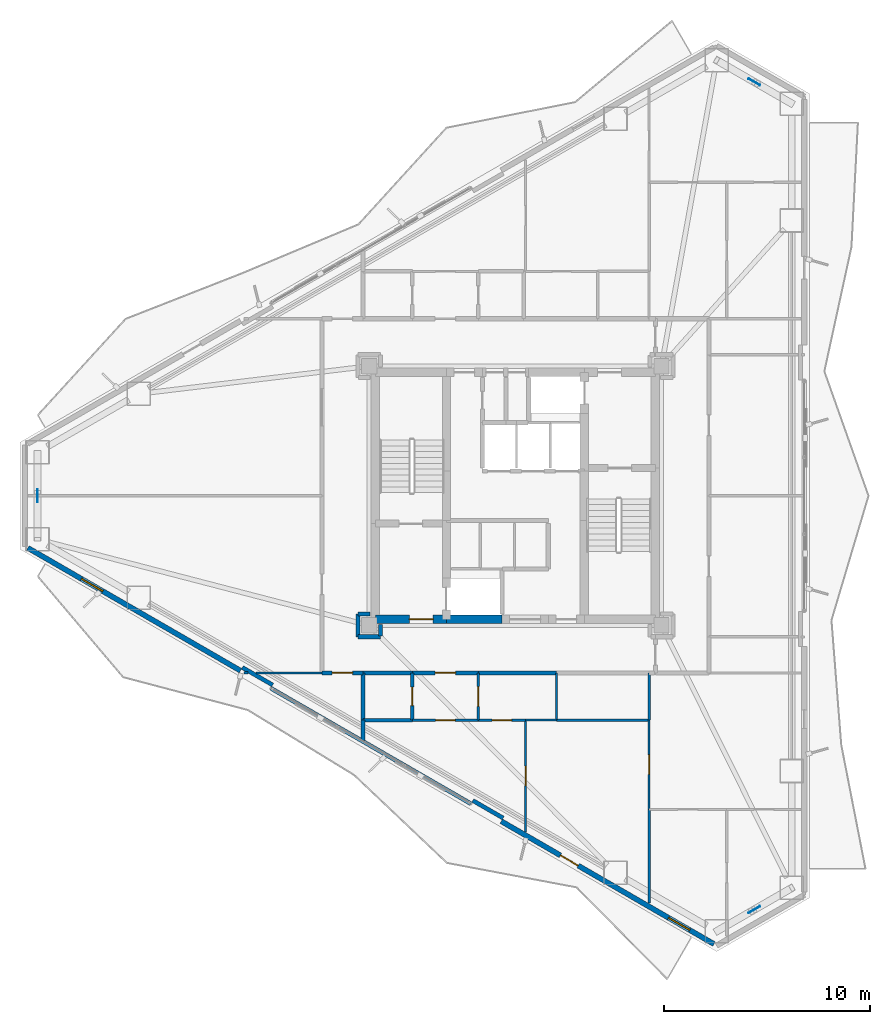
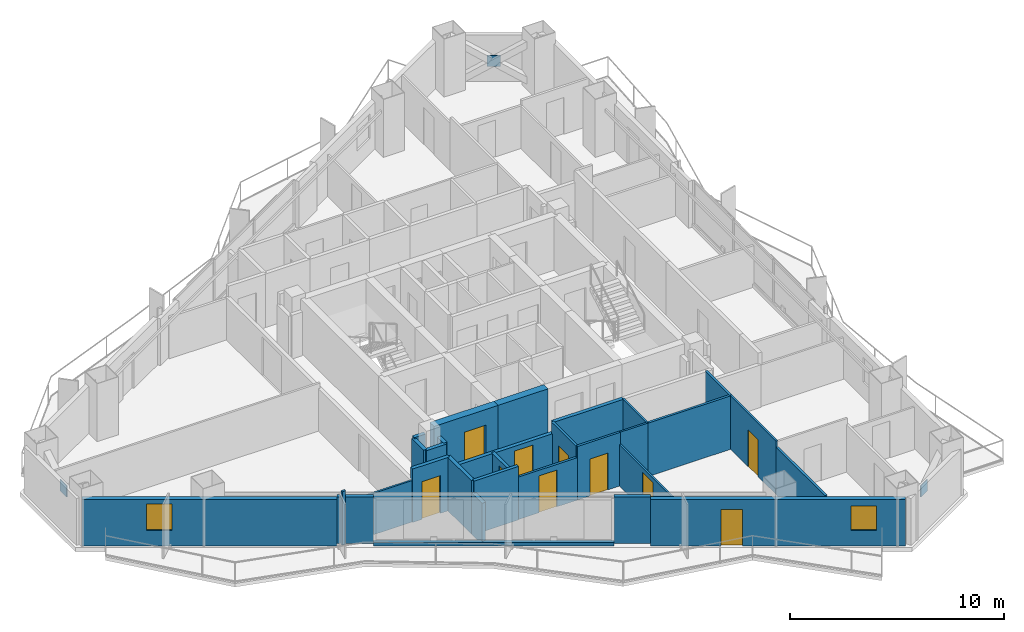
# One storey, part 15 of 22: 31 walls, 10 doors, 3 plates, 2 windows, 12 openings.
"""IFC4 building model written with IfcOpenShell, lengths in metres."""

from ifc_helpers import new_model, si_unit, direction, frame, frame_2d, origin, origin_2d, place, context, subcontext, project, spatial, rectangle, extrude, material, layer, layer_set, type_object, element, fill, save


model = new_model("IFC4")

# Units and contexts
model_context = context("Model", 3, precision=1e-05, world=origin(), true_north=direction((0.0, 1.0)))
body_context = subcontext(model_context, "Body", "Model", "MODEL_VIEW")
ifc_project = project(units=[si_unit("LENGTHUNIT", "METRE"), si_unit("AREAUNIT", "SQUARE_METRE"), si_unit("VOLUMEUNIT", "CUBIC_METRE"), si_unit("PLANEANGLEUNIT", "RADIAN"), si_unit("MASSUNIT", "GRAM", prefix="KILO")], contexts=[model_context])

# Site, building, storey
site_placement = place(None, origin())
site = spatial("IfcSite", under=ifc_project, at=site_placement, CompositionType="ELEMENT")
building_placement = place(site_placement, origin())
building = spatial("IfcBuilding", under=site, at=building_placement, Name="Mersakhor Tower and Convention Hall", CompositionType="ELEMENT")
storey_placement = place(building_placement, frame((0.0, 0.0, 109.800048828125)))
storey = spatial("IfcBuildingStorey", under=building, at=storey_placement, Name="L30", CompositionType="ELEMENT", Elevation=109.800048828125)

# Plates
ifc_material_1 = material(Name="Steel S460", Category="steel")
ifc_layer_1 = layer(ifc_material_1, 0.0400390625)
ifc_layer_set_1 = layer_set([ifc_layer_1], Name="Steel S460")
plate_type = type_object("IfcPlateType", Name="PL-GUSSET-40", PredefinedType="SHEET", material=ifc_layer_set_1)
for number, where, z_axis, x_axis, name in (
    (1, (40.606689453125, 46.853515625, 1.205078125), (0.0, 0.0, 1.0), (-0.866025403784, 0.5, 0.0), "L30 X-Brace Crossing Gusset Node Plate"),
    (2, (40.606689453125, 6.646728515625, 1.205078125), (0.0, 0.0, 1.0), (0.866025403784, 0.5, 0.0), "L30 X-Brace Crossing Gusset Node Plate"),
    (3, (5.78662109375, 26.75, 1.205078125), (0.0, 0.0, 1.0), (0.0, -1.0, 0.0), "L30 X-Brace Crossing Gusset Node Plate"),
):
    element("IfcPlate", number, at=place(storey_placement, frame(where, z_axis=z_axis, x_axis=x_axis)), inside=storey, type_object=plate_type, Name=name, PredefinedType="SHEET", context=body_context, shape_type="SweptSolid", body=[
        extrude(rectangle(XDim=0.639892578125, YDim=0.0400390625, at=origin_2d()), origin(), (0.0, 0.0, 1.0), 0.639892578125),
    ])

# Wall, openings, door, window
ifc_material_2 = material(Name="Precast concrete C40/50", Category="concrete")
ifc_layer_2 = layer(ifc_material_2, 0.25)
ifc_layer_set_2 = layer_set([ifc_layer_2], Name="Precast concrete C40/50")
wall_type_1 = type_object("IfcWallType", Name="WL-EXT-250", PredefinedType="SOLIDWALL", material=ifc_layer_set_2)
wall_1_placement = place(storey_placement, frame((38.648681640625, 4.973388671875, 0.0), z_axis=(0.0, 0.0, 1.0), x_axis=(-0.866023023012, 0.500004123596, 0.0)))
wall_1 = element("IfcWall", 4, at=wall_1_placement, inside=storey, type_object=wall_type_1, Name="L30 Exterior Facade Wall F3-B1", PredefinedType="SOLIDWALL", context=body_context, shape_type="SweptSolid", body=[
    extrude(rectangle(XDim=11.9296875, YDim=0.25, at=frame_2d((5.96484375, 0.0))), origin(), (0.0, 0.0, 1.0), 2.669921875),
])
opening_1_placement = place(wall_1_placement, frame((7.615966796875, 0.0, 0.0)))
opening_1 = element("IfcOpeningElement", 5, at=opening_1_placement, cuts=wall_1, Name="Opening BD-01", PredefinedType="OPENING", context=body_context, shape_type="SweptSolid", body=[
    extrude(rectangle(XDim=1.0, YDim=2.10009765625, at=frame_2d((0.5, 1.050048828125))), frame((0.0, 0.135009765625, 0.0), z_axis=(0.0, -1.0, 0.0), x_axis=(1.0, 0.0, 0.0)), (0.0, 0.0, 1.0), 0.27001953125),
])
opening_2_placement = place(wall_1_placement, frame((1.35498046875, 0.0, 0.89990234375)))
opening_2 = element("IfcOpeningElement", 6, at=opening_2_placement, cuts=wall_1, Name="Opening W-01", PredefinedType="OPENING", context=body_context, shape_type="SweptSolid", body=[
    extrude(rectangle(XDim=1.199951171875, YDim=1.39990234375, at=frame_2d((0.60009765625, 0.699951171875))), frame((0.0, 0.135009765625, 0.0), z_axis=(0.0, -1.0, 0.0), x_axis=(1.0, 0.0, 0.0)), (0.0, 0.0, 1.0), 0.27001953125),
])
ifc_material_3 = material(Name="Thermally broken dark aluminium and safety glass", Category="aluminium")
door_type_1 = type_object("IfcDoorType", Name="DR-BAL-100x210", OperationType="NOTDEFINED", PredefinedType="DOOR", material=ifc_material_3)
door_1_placement = place(opening_1_placement, origin())
door_1 = element("IfcDoor", 7, at=door_1_placement, inside=storey, type_object=door_type_1, Name="L30 Balcony Terrace Door F3-B1", OperationType="SINGLE_SWING_LEFT", OverallHeight=2.10009765625, OverallWidth=1.0, PredefinedType="DOOR", context=body_context, shape_type="SweptSolid", body=[
    extrude(rectangle(XDim=1.0, YDim=2.10009765625, at=frame_2d((0.5, 1.050048828125))), frame((0.0, 0.02490234375, 0.0), z_axis=(0.0, -1.0, 0.0), x_axis=(1.0, 0.0, 0.0)), (0.0, 0.0, 1.0), 0.050048828125),
])
fill(opening_1, door_1)
ifc_material_4 = material(Name="Dark solar low-E glazed aluminium window", Category="aluminium")
window_type = type_object("IfcWindowType", Name="WN-RES-120x150", PartitioningType="SINGLE_PANEL", PredefinedType="WINDOW", material=ifc_material_4)
window_1_placement = place(opening_2_placement, origin())
window_1 = element("IfcWindow", 8, at=window_1_placement, inside=storey, type_object=window_type, Name="L30 Bedroom Facade Window F3-B1-1", OverallHeight=1.39990234375, OverallWidth=1.199951171875, PartitioningType="SINGLE_PANEL", PredefinedType="WINDOW", context=body_context, shape_type="SweptSolid", body=[
    extrude(rectangle(XDim=1.199951171875, YDim=1.39990234375, at=frame_2d((0.60009765625, 0.699951171875))), frame((0.0, 0.030029296875, 0.0), z_axis=(0.0, -1.0, 0.0), x_axis=(1.0, 0.0, 0.0)), (0.0, 0.0, 1.0), 0.06005859375),
])
fill(opening_2, window_1)

# Wall, opening, window
wall_2_placement = place(storey_placement, frame((15.64794921875, 18.2529296875, 0.0), z_axis=(0.0, 0.0, 1.0), x_axis=(-0.866023023012, 0.500004123596, 0.0)))
wall_2 = element("IfcWall", 9, at=wall_2_placement, inside=storey, type_object=wall_type_1, Name="L30 Exterior Facade Wall F3-B3", PredefinedType="SOLIDWALL", context=body_context, shape_type="SweptSolid", body=[
    extrude(rectangle(XDim=11.9296875, YDim=0.25, at=frame_2d((5.96484375, 0.0))), origin(), (0.0, 0.0, 1.0), 2.669921875),
])
opening_3_placement = place(wall_2_placement, frame((7.72509765625, 0.0, 0.89990234375)))
opening_3 = element("IfcOpeningElement", 10, at=opening_3_placement, cuts=wall_2, Name="Opening W-01", PredefinedType="OPENING", context=body_context, shape_type="SweptSolid", body=[
    extrude(rectangle(XDim=1.199951171875, YDim=1.5, at=frame_2d((0.60009765625, 0.75))), frame((0.0, 0.135009765625, 0.0), z_axis=(0.0, -1.0, 0.0), x_axis=(1.0, 0.0, 0.0)), (0.0, 0.0, 1.0), 0.27001953125),
])
window_2_placement = place(opening_3_placement, origin())
window_2 = element("IfcWindow", 11, at=window_2_placement, inside=storey, type_object=window_type, Name="L30 Facade Punched Window F3-B3", OverallHeight=1.5, OverallWidth=1.199951171875, PartitioningType="SINGLE_PANEL", PredefinedType="WINDOW", context=body_context, shape_type="SweptSolid", body=[
    extrude(rectangle(XDim=1.199951171875, YDim=1.5, at=frame_2d((0.60009765625, 0.75))), frame((0.0, 0.030029296875, 0.0), z_axis=(0.0, -1.0, 0.0), x_axis=(1.0, 0.0, 0.0)), (0.0, 0.0, 1.0), 0.06005859375),
])
fill(opening_3, window_2)

# Walls
ifc_material_5 = material(Name="Precast concrete C40/50", Category="concrete")
ifc_layer_3 = layer(ifc_material_5, 0.199951171875)
ifc_layer_set_3 = layer_set([ifc_layer_3], Name="Precast concrete C40/50")
wall_type_2 = type_object("IfcWallType", Name="WL-PAR-200", PredefinedType="PARAPET", material=ifc_layer_set_3)
wall_3_placement = place(storey_placement, frame((26.84521484375, 11.788330078125, 0.0), z_axis=(0.0, 0.0, 1.0), x_axis=(-0.866027010039, 0.499997217876, 0.0)))
element("IfcWall", 12, at=wall_3_placement, inside=storey, type_object=wall_type_2, Name="L30 Curtain Wall Upstand Sill F3-B2", PredefinedType="PARAPET", context=body_context, shape_type="SweptSolid", body=[
    extrude(rectangle(XDim=11.2294921875, YDim=0.199951171875, at=frame_2d((5.61474609375, 0.0))), origin(), (0.0, 0.0, 1.0), 0.199951171875),
])
wall_4_placement = place(storey_placement, frame((28.407470703125, 11.09423828125, 0.0), z_axis=(0.0, 0.0, 1.0), x_axis=(-0.86605165483, 0.499954529098, 0.0)))
element("IfcWall", 13, at=wall_4_placement, inside=storey, type_object=wall_type_2, Name="L30 Column Pier Cladding Wall F3-C1", PredefinedType="PARAPET", context=body_context, shape_type="SweptSolid", body=[
    extrude(rectangle(XDim=1.699951171875, YDim=0.199951171875, at=frame_2d((0.85009765625, 0.0))), origin(), (0.0, 0.0, 1.0), 2.669921875),
])
wall_5_placement = place(storey_placement, frame((17.210205078125, 17.558837890625, 0.0), z_axis=(0.0, 0.0, 1.0), x_axis=(-0.866025371046, 0.500000056704, 0.0)))
element("IfcWall", 14, at=wall_5_placement, inside=storey, type_object=wall_type_2, Name="L30 Column Pier Cladding Wall F3-C2", PredefinedType="PARAPET", context=body_context, shape_type="SweptSolid", body=[
    extrude(rectangle(XDim=1.7001953125, YDim=0.199951171875, at=frame_2d((0.85009765625, 0.0))), origin(), (0.0, 0.0, 1.0), 2.669921875),
])

# Wall, opening, door
ifc_material_6 = material(Name="Moisture-resistant acoustic drywall studwork", Category="other")
ifc_layer_4 = layer(ifc_material_6, 0.175048828125)
ifc_layer_set_4 = layer_set([ifc_layer_4], Name="Moisture-resistant acoustic drywall studwork")
wall_type_3 = type_object("IfcWallType", Name="WL-PLM-175", PredefinedType="PLUMBINGWALL", material=ifc_layer_set_4)
wall_6_placement = place(storey_placement, frame((24.0, 15.85009765625, 0.0), z_axis=(0.0, 0.0, 1.0), x_axis=(0.0, 1.0, 0.0)))
wall_6 = element("IfcWall", 15, at=wall_6_placement, inside=storey, type_object=wall_type_3, Name="L30 Interior Partition Wall P-064", PredefinedType="PLUMBINGWALL", context=body_context, shape_type="SweptSolid", body=[
    extrude(rectangle(XDim=2.2998046875, YDim=0.175048828125, at=frame_2d((1.14990234375, 0.0))), origin(), (0.0, 0.0, 1.0), 2.4228515625),
])
opening_4_placement = place(wall_6_placement, frame((0.699951171875, 0.0, 0.0)))
opening_4 = element("IfcOpeningElement", 16, at=opening_4_placement, cuts=wall_6, Name="Opening WD-01", PredefinedType="OPENING", context=body_context, shape_type="SweptSolid", body=[
    extrude(rectangle(XDim=0.89990234375, YDim=2.10009765625, at=frame_2d((0.449951171875, 1.050048828125))), frame((0.0, 0.097412109375, 0.0), z_axis=(0.0, -1.0, 0.0), x_axis=(1.0, 0.0, 0.0)), (0.0, 0.0, 1.0), 0.195068359375),
])
ifc_material_7 = material(Name="Solid-core hardwood leaf in painted steel frame", Category="steel")
door_type_2 = type_object("IfcDoorType", Name="DR-INT-WET-090x210", OperationType="NOTDEFINED", PredefinedType="DOOR", material=ifc_material_7)
door_2_placement = place(opening_4_placement, origin())
door_2 = element("IfcDoor", 17, at=door_2_placement, inside=storey, type_object=door_type_2, Name="L30 L30 Flat S2 Apartment Hall to L30 Flat S2 Bathroom Door", OperationType="SINGLE_SWING_RIGHT", OverallHeight=2.10009765625, OverallWidth=0.89990234375, PredefinedType="DOOR", context=body_context, shape_type="SweptSolid", body=[
    extrude(rectangle(XDim=0.89990234375, YDim=2.10009765625, at=frame_2d((0.449951171875, 1.050048828125))), frame((0.0, 0.02490234375, 0.0), z_axis=(0.0, -1.0, 0.0), x_axis=(1.0, 0.0, 0.0)), (0.0, 0.0, 1.0), 0.050048828125),
])
fill(opening_4, door_2)

# Walls
wall_7_placement = place(storey_placement, frame((24.0, 15.85009765625, 0.0), z_axis=(0.0, 0.0, 1.0), x_axis=(-1.0, 0.0, 0.0)))
element("IfcWall", 18, at=wall_7_placement, inside=storey, type_object=wall_type_3, Name="L30 Interior Partition Wall P-072", PredefinedType="PLUMBINGWALL", context=body_context, shape_type="SweptSolid", body=[
    extrude(rectangle(XDim=2.39990234375, YDim=0.175048828125, at=frame_2d((1.199951171875, 0.0))), origin(), (0.0, 0.0, 1.0), 3.050048828125),
])
ifc_material_8 = material(Name="Lightweight gypsum partition", Category="other")
ifc_layer_5 = layer(ifc_material_8, 0.10009765625)
ifc_layer_set_5 = layer_set([ifc_layer_5], Name="Lightweight gypsum partition")
wall_type_4 = type_object("IfcWallType", Name="WL-PRT-100", PredefinedType="PARTITIONING", material=ifc_layer_set_5)
wall_8_placement = place(storey_placement, frame((31.0, 15.85009765625, 0.0), z_axis=(0.0, 0.0, 1.0), x_axis=(-1.0, 0.0, 0.0)))
element("IfcWall", 19, at=wall_8_placement, inside=storey, type_object=wall_type_4, Name="L30 Interior Partition Wall P-074", PredefinedType="PARTITIONING", context=body_context, shape_type="SweptSolid", body=[
    extrude(rectangle(XDim=1.5, YDim=0.10009765625, at=frame_2d((0.75, 0.0))), origin(), (0.0, 0.0, 1.0), 3.050048828125),
])
wall_9_placement = place(storey_placement, frame((31.0, 18.14990234375, 0.0), z_axis=(0.0, 0.0, 1.0), x_axis=(0.0, -1.0, 0.0)))
element("IfcWall", 20, at=wall_9_placement, inside=storey, type_object=wall_type_4, Name="L30 Interior Partition Wall P-076", PredefinedType="PARTITIONING", context=body_context, shape_type="SweptSolid", body=[
    extrude(rectangle(XDim=2.2998046875, YDim=0.10009765625, at=frame_2d((1.14990234375, 0.0))), origin(), (0.0, 0.0, 1.0), 3.050048828125),
])
wall_10_placement = place(storey_placement, frame((16.411865234375, 18.14990234375, 0.0), z_axis=(0.0, 0.0, 1.0), x_axis=(1.0, 0.0, 0.0)))
element("IfcWall", 21, at=wall_10_placement, inside=storey, type_object=wall_type_4, Name="L30 Interior Partition Wall P-082", PredefinedType="PARTITIONING", context=body_context, shape_type="SweptSolid", body=[
    extrude(rectangle(XDim=3.188232421875, YDim=0.10009765625, at=frame_2d((1.59423828125, 0.0))), origin(), (0.0, 0.0, 1.0), 2.364990234375),
])

# Wall, opening, door
wall_11_placement = place(storey_placement, frame((29.5, 15.85009765625, 0.0), z_axis=(0.0, 0.0, 1.0), x_axis=(0.0, -1.0, 0.0)))
wall_11 = element("IfcWall", 22, at=wall_11_placement, inside=storey, type_object=wall_type_4, Name="L30 Interior Partition Wall P-102", PredefinedType="PARTITIONING", context=body_context, shape_type="SweptSolid", body=[
    extrude(rectangle(XDim=5.422607421875, YDim=0.10009765625, at=frame_2d((2.71142578125, 0.0))), origin(), (0.0, 0.0, 1.0), 2.364990234375),
])
opening_5_placement = place(wall_11_placement, frame((2.236083984375, 0.0, 0.0)))
opening_5 = element("IfcOpeningElement", 23, at=opening_5_placement, cuts=wall_11, Name="Opening RD-01", PredefinedType="OPENING", context=body_context, shape_type="SweptSolid", body=[
    extrude(rectangle(XDim=0.949951171875, YDim=2.10009765625, at=frame_2d((0.47509765625, 1.050048828125))), frame((0.0, 0.06005859375, 0.0), z_axis=(0.0, -1.0, 0.0), x_axis=(1.0, 0.0, 0.0)), (0.0, 0.0, 1.0), 0.1201171875),
])
ifc_material_9 = material(Name="Solid-core hardwood leaf in painted steel frame", Category="steel")
door_type_3 = type_object("IfcDoorType", Name="DR-INT-RM-095x210", OperationType="NOTDEFINED", PredefinedType="DOOR", material=ifc_material_9)
door_3_placement = place(opening_5_placement, origin())
door_3 = element("IfcDoor", 24, at=door_3_placement, inside=storey, type_object=door_type_3, Name="L30 L30 Flat S2 Living and Dining Room to L30 Flat S2 Master Bedroom Door", OperationType="SINGLE_SWING_LEFT", OverallHeight=2.10009765625, OverallWidth=0.949951171875, PredefinedType="DOOR", context=body_context, shape_type="SweptSolid", body=[
    extrude(rectangle(XDim=0.949951171875, YDim=2.10009765625, at=frame_2d((0.47509765625, 1.050048828125))), frame((0.0, 0.02490234375, 0.0), z_axis=(0.0, -1.0, 0.0), x_axis=(1.0, 0.0, 0.0)), (0.0, 0.0, 1.0), 0.050048828125),
])
fill(opening_5, door_3)

wall_12_placement = place(storey_placement, frame((35.5, 15.85009765625, 0.0), z_axis=(0.0, 0.0, 1.0), x_axis=(0.0, -1.0, 0.0)))
wall_12 = element("IfcWall", 25, at=wall_12_placement, inside=storey, type_object=wall_type_4, Name="L30 Interior Partition Wall P-104", PredefinedType="PARTITIONING", context=body_context, shape_type="SweptSolid", body=[
    extrude(rectangle(XDim=4.330078125, YDim=0.10009765625, at=frame_2d((2.1650390625, 0.0))), origin(), (0.0, 0.0, 1.0), 3.050048828125),
])
opening_6_placement = place(wall_12_placement, frame((1.68994140625, 0.0, 0.0)))
opening_6 = element("IfcOpeningElement", 26, at=opening_6_placement, cuts=wall_12, Name="Opening RD-01", PredefinedType="OPENING", context=body_context, shape_type="SweptSolid", body=[
    extrude(rectangle(XDim=0.949951171875, YDim=2.10009765625, at=frame_2d((0.47509765625, 1.050048828125))), frame((0.0, 0.06005859375, 0.0), z_axis=(0.0, -1.0, 0.0), x_axis=(1.0, 0.0, 0.0)), (0.0, 0.0, 1.0), 0.1201171875),
])
door_4_placement = place(opening_6_placement, origin())
door_4 = element("IfcDoor", 27, at=door_4_placement, inside=storey, type_object=door_type_3, Name="L30 L30 Flat S2 Master Bedroom to L30 Flat S2 Dining Room Door", OperationType="SINGLE_SWING_RIGHT", OverallHeight=2.10009765625, OverallWidth=0.949951171875, PredefinedType="DOOR", context=body_context, shape_type="SweptSolid", body=[
    extrude(rectangle(XDim=0.949951171875, YDim=2.10009765625, at=frame_2d((0.47509765625, 1.050048828125))), frame((0.0, 0.02490234375, 0.0), z_axis=(0.0, -1.0, 0.0), x_axis=(1.0, 0.0, 0.0)), (0.0, 0.0, 1.0), 0.050048828125),
])
fill(opening_6, door_4)

ifc_material_10 = material(Name="Gypsum board acoustic partition", Category="other")
ifc_layer_6 = layer(ifc_material_10, 0.125)
ifc_layer_set_6 = layer_set([ifc_layer_6], Name="Gypsum board acoustic partition")
wall_type_5 = type_object("IfcWallType", Name="WL-PRT-125", PredefinedType="PARTITIONING", material=ifc_layer_set_6)
wall_13_placement = place(storey_placement, frame((27.199951171875, 15.85009765625, 0.0), z_axis=(0.0, 0.0, 1.0), x_axis=(-1.0, 0.0, 0.0)))
wall_13 = element("IfcWall", 28, at=wall_13_placement, inside=storey, type_object=wall_type_5, Name="L30 Interior Partition Wall P-063", PredefinedType="PARTITIONING", context=body_context, shape_type="SweptSolid", body=[
    extrude(rectangle(XDim=3.199951171875, YDim=0.125, at=frame_2d((1.60009765625, 0.0))), origin(), (0.0, 0.0, 1.0), 2.4228515625),
])
opening_7_placement = place(wall_13_placement, frame((1.125, 0.0, 0.0)))
opening_7 = element("IfcOpeningElement", 29, at=opening_7_placement, cuts=wall_13, Name="Opening RD-01", PredefinedType="OPENING", context=body_context, shape_type="SweptSolid", body=[
    extrude(rectangle(XDim=0.949951171875, YDim=2.10009765625, at=frame_2d((0.47509765625, 1.050048828125))), frame((0.0, 0.072509765625, 0.0), z_axis=(0.0, -1.0, 0.0), x_axis=(1.0, 0.0, 0.0)), (0.0, 0.0, 1.0), 0.14501953125),
])
door_5_placement = place(opening_7_placement, origin())
door_5 = element("IfcDoor", 30, at=door_5_placement, inside=storey, type_object=door_type_3, Name="L30 L30 Flat S2 Apartment Hall to L30 Flat S2 Living and Dining Room Door", OperationType="SINGLE_SWING_RIGHT", OverallHeight=2.10009765625, OverallWidth=0.949951171875, PredefinedType="DOOR", context=body_context, shape_type="SweptSolid", body=[
    extrude(rectangle(XDim=0.949951171875, YDim=2.10009765625, at=frame_2d((0.47509765625, 1.050048828125))), frame((0.0, 0.02490234375, 0.0), z_axis=(0.0, -1.0, 0.0), x_axis=(1.0, 0.0, 0.0)), (0.0, 0.0, 1.0), 0.050048828125),
])
fill(opening_7, door_5)

wall_14_placement = place(storey_placement, frame((27.199951171875, 18.14990234375, 0.0), z_axis=(0.0, 0.0, 1.0), x_axis=(0.0, -1.0, 0.0)))
wall_14 = element("IfcWall", 31, at=wall_14_placement, inside=storey, type_object=wall_type_5, Name="L30 Interior Partition Wall P-065", PredefinedType="PARTITIONING", context=body_context, shape_type="SweptSolid", body=[
    extrude(rectangle(XDim=2.2998046875, YDim=0.125, at=frame_2d((1.14990234375, 0.0))), origin(), (0.0, 0.0, 1.0), 3.050048828125),
])
opening_8_placement = place(wall_14_placement, frame((0.675048828125, 0.0, 0.0)))
opening_8 = element("IfcOpeningElement", 32, at=opening_8_placement, cuts=wall_14, Name="Opening RD-01", PredefinedType="OPENING", context=body_context, shape_type="SweptSolid", body=[
    extrude(rectangle(XDim=0.949951171875, YDim=2.10009765625, at=frame_2d((0.47509765625, 1.050048828125))), frame((0.0, 0.072509765625, 0.0), z_axis=(0.0, -1.0, 0.0), x_axis=(1.0, 0.0, 0.0)), (0.0, 0.0, 1.0), 0.14501953125),
])
door_6_placement = place(opening_8_placement, origin())
door_6 = element("IfcDoor", 33, at=door_6_placement, inside=storey, type_object=door_type_3, Name="L30 L30 Flat S2 Apartment Hall to L30 Flat S2 Kitchen Door", OperationType="SINGLE_SWING_LEFT", OverallHeight=2.10009765625, OverallWidth=0.949951171875, PredefinedType="DOOR", context=body_context, shape_type="SweptSolid", body=[
    extrude(rectangle(XDim=0.949951171875, YDim=2.10009765625, at=frame_2d((0.47509765625, 1.050048828125))), frame((0.0, 0.02490234375, 0.0), z_axis=(0.0, -1.0, 0.0), x_axis=(1.0, 0.0, 0.0)), (0.0, 0.0, 1.0), 0.050048828125),
])
fill(opening_8, door_6)

wall_15_placement = place(storey_placement, frame((29.5, 15.85009765625, 0.0), z_axis=(0.0, 0.0, 1.0), x_axis=(-1.0, 0.0, 0.0)))
wall_15 = element("IfcWall", 34, at=wall_15_placement, inside=storey, type_object=wall_type_5, Name="L30 Interior Partition Wall P-075", PredefinedType="PARTITIONING", context=body_context, shape_type="SweptSolid", body=[
    extrude(rectangle(XDim=2.300048828125, YDim=0.125, at=frame_2d((1.14990234375, 0.0))), origin(), (0.0, 0.0, 1.0), 3.050048828125),
])
opening_9_placement = place(wall_15_placement, frame((0.675048828125, 0.0, 0.0)))
opening_9 = element("IfcOpeningElement", 35, at=opening_9_placement, cuts=wall_15, Name="Opening RD-01", PredefinedType="OPENING", context=body_context, shape_type="SweptSolid", body=[
    extrude(rectangle(XDim=0.949951171875, YDim=2.10009765625, at=frame_2d((0.47509765625, 1.050048828125))), frame((0.0, 0.072509765625, 0.0), z_axis=(0.0, -1.0, 0.0), x_axis=(1.0, 0.0, 0.0)), (0.0, 0.0, 1.0), 0.14501953125),
])
door_7_placement = place(opening_9_placement, origin())
door_7 = element("IfcDoor", 36, at=door_7_placement, inside=storey, type_object=door_type_3, Name="L30 L30 Flat S2 Kitchen to L30 Flat S2 Living and Dining Room Door", OperationType="SINGLE_SWING_LEFT", OverallHeight=2.10009765625, OverallWidth=0.949951171875, PredefinedType="DOOR", context=body_context, shape_type="SweptSolid", body=[
    extrude(rectangle(XDim=0.949951171875, YDim=2.10009765625, at=frame_2d((0.47509765625, 1.050048828125))), frame((0.0, 0.02490234375, 0.0), z_axis=(0.0, -1.0, 0.0), x_axis=(1.0, 0.0, 0.0)), (0.0, 0.0, 1.0), 0.050048828125),
])
fill(opening_9, door_7)

# Walls
wall_16_placement = place(storey_placement, frame((15.825927734375, 18.14990234375, 0.0), z_axis=(0.0, 0.0, 1.0), x_axis=(1.0, 0.0, 0.0)))
element("IfcWall", 37, at=wall_16_placement, inside=storey, type_object=wall_type_5, Name="L30 Interior Partition Wall P-081", PredefinedType="PARTITIONING", context=body_context, shape_type="SweptSolid", body=[
    extrude(rectangle(XDim=0.185302734375, YDim=0.125, at=frame_2d((0.0927734375, 0.0))), origin(), (0.0, 0.0, 1.0), 3.050048828125),
])
wall_17_placement = place(storey_placement, frame((31.0, 15.85009765625, 0.0), z_axis=(0.0, 0.0, 1.0), x_axis=(1.0, 0.0, 0.0)))
element("IfcWall", 38, at=wall_17_placement, inside=storey, type_object=wall_type_5, Name="L30 Interior Partition Wall P-103", PredefinedType="PARTITIONING", context=body_context, shape_type="SweptSolid", body=[
    extrude(rectangle(XDim=4.5, YDim=0.125, at=frame_2d((2.25, 0.0))), origin(), (0.0, 0.0, 1.0), 3.050048828125),
])
wall_18_placement = place(storey_placement, frame((35.5, 11.52001953125, 0.0), z_axis=(0.0, 0.0, 1.0), x_axis=(0.0, -1.0, 0.0)))
element("IfcWall", 39, at=wall_18_placement, inside=storey, type_object=wall_type_5, Name="L30 Interior Partition Wall P-105", PredefinedType="PARTITIONING", context=body_context, shape_type="SweptSolid", body=[
    extrude(rectangle(XDim=4.556640625, YDim=0.125, at=frame_2d((2.2783203125, 0.0))), origin(), (0.0, 0.0, 1.0), 2.71435546875),
])
wall_19_placement = place(storey_placement, frame((35.5, 15.85009765625, 0.0), z_axis=(0.0, 0.0, 1.0), x_axis=(0.0, 1.0, 0.0)))
element("IfcWall", 40, at=wall_19_placement, inside=storey, type_object=wall_type_5, Name="L30 Interior Partition Wall P-111", PredefinedType="PARTITIONING", context=body_context, shape_type="SweptSolid", body=[
    extrude(rectangle(XDim=2.2998046875, YDim=0.125, at=frame_2d((1.14990234375, 0.0))), origin(), (0.0, 0.0, 1.0), 3.050048828125),
])
ifc_material_11 = material(Name="Acoustic concrete blockwork and gypsum board", Category="masonry")
ifc_layer_7 = layer(ifc_material_11, 0.199951171875)
ifc_layer_set_7 = layer_set([ifc_layer_7], Name="Acoustic concrete blockwork and gypsum board")
wall_type_6 = type_object("IfcWallType", Name="WL-PRT-200", PredefinedType="PARTITIONING", material=ifc_layer_set_7)
wall_20_placement = place(storey_placement, frame((21.35009765625, 19.89990234375, 0.0), z_axis=(0.0, 0.0, 1.0), x_axis=(1.0, 0.0, 0.0)))
element("IfcWall", 41, at=wall_20_placement, inside=storey, type_object=wall_type_6, Name="L30 Interior Partition Wall P-019", PredefinedType="PARTITIONING", context=body_context, shape_type="SweptSolid", body=[
    extrude(rectangle(XDim=1.099853515625, YDim=0.199951171875, at=frame_2d((0.5498046875, 0.0))), origin(), (0.0, 0.0, 1.0), 2.4228515625),
])
wall_21_placement = place(storey_placement, frame((22.449951171875, 19.929931640625, 0.0), z_axis=(0.0, 0.0, 1.0), x_axis=(0.0, 1.0, 0.0)))
element("IfcWall", 42, at=wall_21_placement, inside=storey, type_object=wall_type_6, Name="L30 Interior Partition Wall P-020", PredefinedType="PARTITIONING", context=body_context, shape_type="SweptSolid", body=[
    extrude(rectangle(XDim=0.570068359375, YDim=0.199951171875, at=frame_2d((0.28515625, 0.0))), origin(), (0.0, 0.0, 1.0), 2.4228515625),
])
wall_22_placement = place(storey_placement, frame((31.0, 18.14990234375, 0.0), z_axis=(0.0, 0.0, 1.0), x_axis=(-1.0, 0.0, 0.0)))
element("IfcWall", 43, at=wall_22_placement, inside=storey, type_object=wall_type_6, Name="L30 Interior Partition Wall P-026", PredefinedType="PARTITIONING", context=body_context, shape_type="SweptSolid", body=[
    extrude(rectangle(XDim=3.800048828125, YDim=0.199951171875, at=frame_2d((1.89990234375, 0.0))), origin(), (0.0, 0.0, 1.0), 3.050048828125),
])

# Wall, opening, door
wall_23_placement = place(storey_placement, frame((27.199951171875, 18.14990234375, 0.0), z_axis=(0.0, 0.0, 1.0), x_axis=(-1.0, 0.0, 0.0)))
wall_23 = element("IfcWall", 44, at=wall_23_placement, inside=storey, type_object=wall_type_6, Name="L30 Interior Partition Wall P-027", PredefinedType="PARTITIONING", context=body_context, shape_type="SweptSolid", body=[
    extrude(rectangle(XDim=3.199951171875, YDim=0.199951171875, at=frame_2d((1.60009765625, 0.0))), origin(), (0.0, 0.0, 1.0), 2.4228515625),
])
opening_10_placement = place(wall_23_placement, frame((1.10009765625, 0.0, 0.0)))
opening_10 = element("IfcOpeningElement", 45, at=opening_10_placement, cuts=wall_23, Name="Opening FD-01", PredefinedType="OPENING", context=body_context, shape_type="SweptSolid", body=[
    extrude(rectangle(XDim=1.0, YDim=2.14990234375, at=frame_2d((0.5, 1.074951171875))), frame((0.0, 0.10986328125, 0.0), z_axis=(0.0, -1.0, 0.0), x_axis=(1.0, 0.0, 0.0)), (0.0, 0.0, 1.0), 0.219970703125),
])
ifc_material_12 = material(Name="Fire-rated hardwood leaf and painted steel frame", Category="steel")
door_type_4 = type_object("IfcDoorType", Name="DR-INT-FLT-100x215", OperationType="NOTDEFINED", PredefinedType="DOOR", material=ifc_material_12)
door_8_placement = place(opening_10_placement, origin())
door_8 = element("IfcDoor", 46, at=door_8_placement, inside=storey, type_object=door_type_4, Name="L30 Apartment Entrance Door (Residential Ring Corridor to L30 Flat S2 Apartment Hall)", OperationType="SINGLE_SWING_RIGHT", OverallHeight=2.14990234375, OverallWidth=1.0, PredefinedType="DOOR", context=body_context, shape_type="SweptSolid", body=[
    extrude(rectangle(XDim=1.0, YDim=2.14990234375, at=frame_2d((0.5, 1.074951171875))), frame((0.0, 0.02490234375, 0.0), z_axis=(0.0, -1.0, 0.0), x_axis=(1.0, 0.0, 0.0)), (0.0, 0.0, 1.0), 0.050048828125),
])
fill(opening_10, door_8)

# Wall
wall_24_placement = place(storey_placement, frame((24.0, 18.14990234375, 0.0), z_axis=(0.0, 0.0, 1.0), x_axis=(-1.0, 0.0, 0.0)))
element("IfcWall", 47, at=wall_24_placement, inside=storey, type_object=wall_type_6, Name="L30 Interior Partition Wall P-028", PredefinedType="PARTITIONING", context=body_context, shape_type="SweptSolid", body=[
    extrude(rectangle(XDim=2.39990234375, YDim=0.199951171875, at=frame_2d((1.199951171875, 0.0))), origin(), (0.0, 0.0, 1.0), 2.4228515625),
])

# Wall, opening, door
wall_25_placement = place(storey_placement, frame((21.60009765625, 18.14990234375, 0.0), z_axis=(0.0, 0.0, 1.0), x_axis=(-1.0, 0.0, 0.0)))
wall_25 = element("IfcWall", 48, at=wall_25_placement, inside=storey, type_object=wall_type_6, Name="L30 Interior Partition Wall P-029", PredefinedType="PARTITIONING", context=body_context, shape_type="SweptSolid", body=[
    extrude(rectangle(XDim=2.0, YDim=0.199951171875, at=frame_2d((1.0, 0.0))), origin(), (0.0, 0.0, 1.0), 3.050048828125),
])
opening_11_placement = place(wall_25_placement, frame((0.5, 0.0, 0.0)))
opening_11 = element("IfcOpeningElement", 49, at=opening_11_placement, cuts=wall_25, Name="Opening FD-01", PredefinedType="OPENING", context=body_context, shape_type="SweptSolid", body=[
    extrude(rectangle(XDim=1.0, YDim=2.14990234375, at=frame_2d((0.5, 1.074951171875))), frame((0.0, 0.10986328125, 0.0), z_axis=(0.0, -1.0, 0.0), x_axis=(1.0, 0.0, 0.0)), (0.0, 0.0, 1.0), 0.219970703125),
])
door_9_placement = place(opening_11_placement, origin())
door_9 = element("IfcDoor", 50, at=door_9_placement, inside=storey, type_object=door_type_4, Name="L30 Residential Ring Corridor to L30 South-West Residents Seminar Room Door", OperationType="SINGLE_SWING_RIGHT", OverallHeight=2.14990234375, OverallWidth=1.0, PredefinedType="DOOR", context=body_context, shape_type="SweptSolid", body=[
    extrude(rectangle(XDim=1.0, YDim=2.14990234375, at=frame_2d((0.5, 1.074951171875))), frame((0.0, 0.02490234375, 0.0), z_axis=(0.0, -1.0, 0.0), x_axis=(1.0, 0.0, 0.0)), (0.0, 0.0, 1.0), 0.050048828125),
])
fill(opening_11, door_9)

# Walls
wall_26_placement = place(storey_placement, frame((21.949951171875, 21.0, 0.0), z_axis=(0.0, 0.0, 1.0), x_axis=(-1.0, 0.0, 0.0)))
element("IfcWall", 51, at=wall_26_placement, inside=storey, type_object=wall_type_6, Name="L30 Interior Partition Wall P-046", PredefinedType="PARTITIONING", context=body_context, shape_type="SweptSolid", body=[
    extrude(rectangle(XDim=0.599853515625, YDim=0.199951171875, at=frame_2d((0.2998046875, 0.0))), origin(), (0.0, 0.0, 1.0), 2.498291015625),
])
wall_27_placement = place(storey_placement, frame((21.35009765625, 21.0, 0.0), z_axis=(0.0, 0.0, 1.0), x_axis=(0.0, -1.0, 0.0)))
element("IfcWall", 52, at=wall_27_placement, inside=storey, type_object=wall_type_6, Name="L30 Interior Partition Wall P-047", PredefinedType="PARTITIONING", context=body_context, shape_type="SweptSolid", body=[
    extrude(rectangle(XDim=1.10009765625, YDim=0.199951171875, at=frame_2d((0.550048828125, 0.0))), origin(), (0.0, 0.0, 1.0), 2.4228515625),
])
wall_28_placement = place(storey_placement, frame((21.60009765625, 15.85009765625, 0.0), z_axis=(0.0, 0.0, 1.0), x_axis=(0.0, 1.0, 0.0)))
element("IfcWall", 53, at=wall_28_placement, inside=storey, type_object=wall_type_6, Name="L30 Interior Partition Wall P-073", PredefinedType="PARTITIONING", context=body_context, shape_type="SweptSolid", body=[
    extrude(rectangle(XDim=2.2998046875, YDim=0.199951171875, at=frame_2d((1.14990234375, 0.0))), origin(), (0.0, 0.0, 1.0), 3.050048828125),
])
wall_29_placement = place(storey_placement, frame((21.60009765625, 15.85009765625, 0.0), z_axis=(0.0, 0.0, 1.0), x_axis=(0.0, -1.0, 0.0)))
element("IfcWall", 54, at=wall_29_placement, inside=storey, type_object=wall_type_6, Name="L30 Interior Partition Wall P-083", PredefinedType="PARTITIONING", context=body_context, shape_type="SweptSolid", body=[
    extrude(rectangle(XDim=0.991943359375, YDim=0.199951171875, at=frame_2d((0.49609375, 0.0))), origin(), (0.0, 0.0, 1.0), 2.364990234375),
])
ifc_material_13 = material(Name="Concrete C60/75", Category="concrete")
ifc_layer_8 = layer(ifc_material_13, 0.39990234375)
ifc_layer_set_8 = layer_set([ifc_layer_8], Name="Concrete C60/75")
wall_type_7 = type_object("IfcWallType", Name="WL-SHR-400", PredefinedType="SHEAR", material=ifc_layer_set_8)
wall_30_placement = place(storey_placement, frame((28.35009765625, 20.75, 0.0), z_axis=(0.0, 0.0, 1.0), x_axis=(-1.0, 0.0, 0.0)))
element("IfcWall", 55, at=wall_30_placement, inside=storey, type_object=wall_type_7, Name="L30 Core Wall CW-S3", PredefinedType="SHEAR", context=body_context, shape_type="SweptSolid", body=[
    extrude(rectangle(XDim=2.7001953125, YDim=0.39990234375, at=frame_2d((1.35009765625, 0.0))), origin(), (0.0, 0.0, 1.0), 3.050048828125),
])

# Wall, opening, door
wall_31_placement = place(storey_placement, frame((25.64990234375, 20.75, 0.0), z_axis=(0.0, 0.0, 1.0), x_axis=(-1.0, 0.0, 0.0)))
wall_31 = element("IfcWall", 56, at=wall_31_placement, inside=storey, type_object=wall_type_7, Name="L30 Core Wall CW-S4", PredefinedType="SHEAR", context=body_context, shape_type="SweptSolid", body=[
    extrude(rectangle(XDim=3.449951171875, YDim=0.39990234375, at=frame_2d((1.72509765625, 0.0))), origin(), (0.0, 0.0, 1.0), 3.050048828125),
])
opening_12_placement = place(wall_31_placement, frame((0.64990234375, 0.0, 0.0)))
opening_12 = element("IfcOpeningElement", 57, at=opening_12_placement, cuts=wall_31, Name="Opening SD-01", PredefinedType="OPENING", context=body_context, shape_type="SweptSolid", body=[
    extrude(rectangle(XDim=1.14990234375, YDim=2.14990234375, at=frame_2d((0.574951171875, 1.074951171875))), frame((0.0, 0.2099609375, 0.0), z_axis=(0.0, -1.0, 0.0), x_axis=(1.0, 0.0, 0.0)), (0.0, 0.0, 1.0), 0.419921875),
])
ifc_material_14 = material(Name="Fire-rated hardwood leaf and painted steel frame", Category="steel")
door_type_5 = type_object("IfcDoorType", Name="DR-INT-STAIR-115x215", OperationType="NOTDEFINED", PredefinedType="DOOR", material=ifc_material_14)
door_10_placement = place(opening_12_placement, origin())
door_10 = element("IfcDoor", 58, at=door_10_placement, inside=storey, type_object=door_type_5, Name="L30 Firefighting Lobby West Fire Door", OperationType="SINGLE_SWING_LEFT", OverallHeight=2.14990234375, OverallWidth=1.14990234375, PredefinedType="DOOR", context=body_context, shape_type="SweptSolid", body=[
    extrude(rectangle(XDim=1.14990234375, YDim=2.14990234375, at=frame_2d((0.574951171875, 1.074951171875))), frame((0.0, 0.02490234375, 0.0), z_axis=(0.0, -1.0, 0.0), x_axis=(1.0, 0.0, 0.0)), (0.0, 0.0, 1.0), 0.050048828125),
])
fill(opening_12, door_10)

save(model, "model.ifc")
